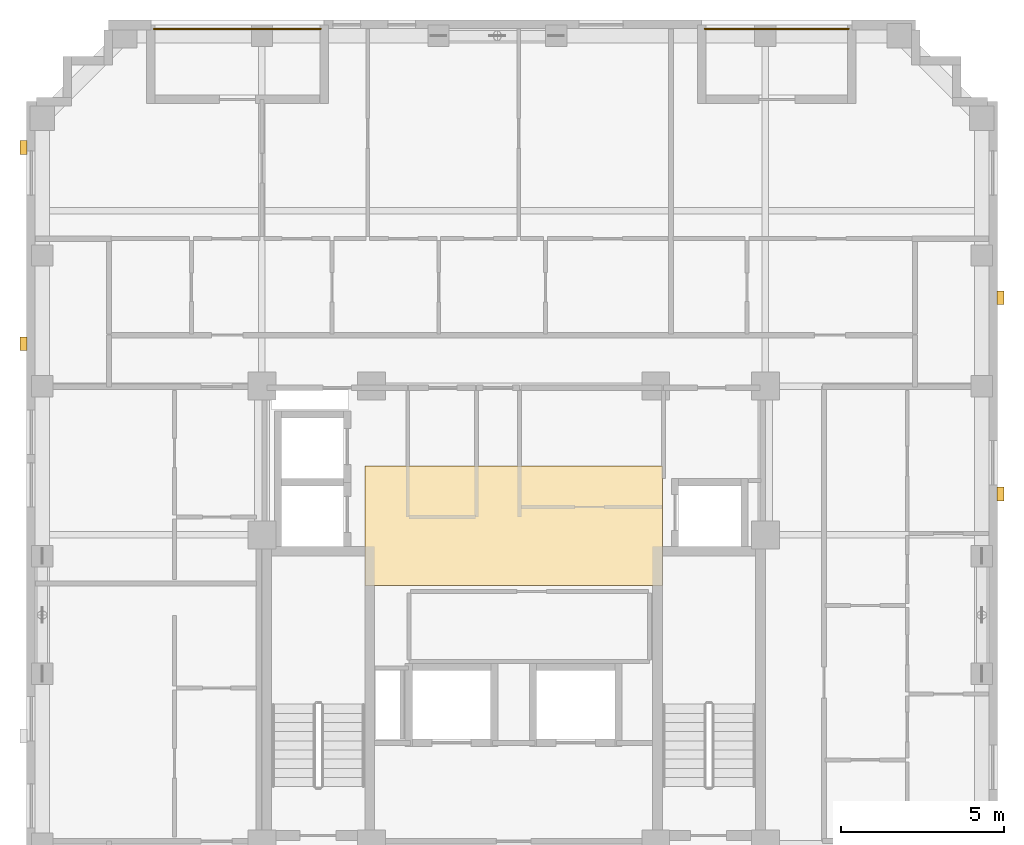
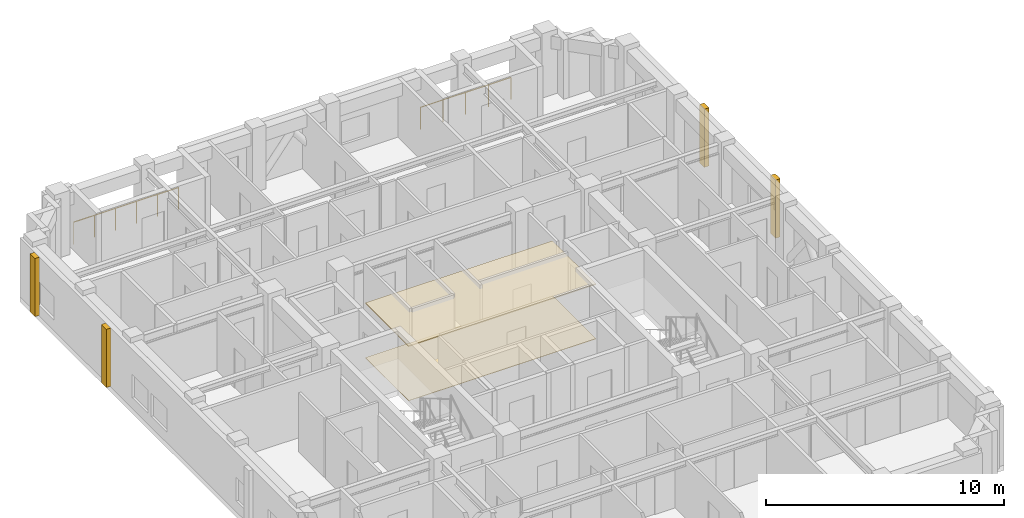
# One storey, part 10 of 10: 6 coverings, 2 railings.
"""IFC4 building model written with IfcOpenShell, lengths in metres."""

from ifc_helpers import new_model, si_unit, derived_unit, direction, frame, origin, origin_2d, place, context, subcontext, project, spatial, polyline, rectangle, circle, outline, extrude, material, layer, layer_set, type_object, element, save


model = new_model("IFC4")

# Units and contexts
model_context = context("Model", 3, precision=1e-05, world=origin(), true_north=direction((0.0, 1.0)))
body_context = subcontext(model_context, "Body", "Model", "MODEL_VIEW")
ifc_project = project(units=[si_unit("LENGTHUNIT", "METRE"), si_unit("AREAUNIT", "SQUARE_METRE"), si_unit("VOLUMEUNIT", "CUBIC_METRE"), si_unit("PLANEANGLEUNIT", "RADIAN"), si_unit("MASSUNIT", "GRAM", prefix="KILO"), derived_unit("THERMALTRANSMITTANCEUNIT", [(si_unit("MASSUNIT", "GRAM", prefix="KILO"), 1), (si_unit("TIMEUNIT", "SECOND"), -3), (si_unit("THERMODYNAMICTEMPERATUREUNIT", "KELVIN"), -1)])], contexts=[model_context])

# Site, building, storey
site_placement = place(None, origin())
site = spatial("IfcSite", under=ifc_project, at=site_placement, CompositionType="ELEMENT")
building_placement = place(site_placement, origin())
building = spatial("IfcBuilding", under=site, at=building_placement, Name="Korrvale Station Residences", CompositionType="ELEMENT")
storey_placement = place(building_placement, frame((0.0, 0.0, 207.39990234375)))
storey = spatial("IfcBuildingStorey", under=building, at=storey_placement, Name="L60", CompositionType="ELEMENT", Elevation=207.39990234375)

# Coverings
ifc_material_1 = material(Name="Perforated acoustic mineral-fibre suspended ceiling", Category="gypsum")
ifc_layer_1 = layer(ifc_material_1, 0.050048828125, Name="Perforated acoustic mineral-fibre suspended ceiling")
ifc_layer_set_1 = layer_set([ifc_layer_1], Name="Perforated acoustic mineral-fibre suspended ceiling")
covering_type_1 = type_object("IfcCoveringType", Name="COV-CLG-AC60", PredefinedType="CEILING", material=ifc_layer_set_1)
covering_1_placement = place(storey_placement, frame((0.0, 0.0, 2.7900390625)))
element("IfcCovering", 1, at=covering_1_placement, inside=storey, type_object=covering_type_1, Name="L60 Elevator Lobby Acoustic Ceiling", PredefinedType="CEILING", context=body_context, shape_type="SweptSolid", body=[
    extrude(outline(polyline([(20.949951171875, 22.89990234375), (30.050048828125, 22.89990234375), (30.050048828125, 26.550048828125), (20.949951171875, 26.550048828125), (20.949951171875, 22.89990234375)])), origin(), (0.0, 0.0, 1.0), 0.050048828125),
])
ifc_material_2 = material(Name="Polished quartz-terrazzo lobby flooring", Category="masonry")
ifc_layer_2 = layer(ifc_material_2, 0.02001953125, Name="Polished quartz-terrazzo lobby flooring")
ifc_layer_set_2 = layer_set([ifc_layer_2], Name="Polished quartz-terrazzo lobby flooring")
covering_type_2 = type_object("IfcCoveringType", Name="COV-FLR-TER20", PredefinedType="FLOORING", material=ifc_layer_set_2)
covering_2_placement = place(storey_placement, origin())
element("IfcCovering", 2, at=covering_2_placement, inside=storey, type_object=covering_type_2, Name="L60 Elevator Lobby Terrazzo Flooring", PredefinedType="FLOORING", context=body_context, shape_type="SweptSolid", body=[
    extrude(outline(polyline([(20.949951171875, 22.89990234375), (30.050048828125, 22.89990234375), (30.050048828125, 26.550048828125), (20.949951171875, 26.550048828125), (20.949951171875, 22.89990234375)])), origin(), (0.0, 0.0, 1.0), 0.02001953125),
])
ifc_material_3 = material(Name="Architectural precast concrete C45/55", Category="concrete")
ifc_layer_3 = layer(ifc_material_3, 0.219970703125, Name="Architectural precast concrete C45/55")
ifc_layer_set_3 = layer_set([ifc_layer_3], Name="Architectural precast concrete C45/55")
covering_type_3 = type_object("IfcCoveringType", Name="COV-PIER-400", PredefinedType="CLADDING", material=ifc_layer_set_3)
for number, where, z_axis, x_axis, name in (
    (3, (10.510009765625, 30.300048828125, 0.02490234375), (0.0, 0.0, 1.0), (0.0, 1.0, 0.0), "L60 Architectural Precast Facade Pier 04"),
    (4, (10.510009765625, 36.300048828125, 0.02490234375), (0.0, 0.0, 1.0), (0.0, 1.0, 0.0), "L60 Architectural Precast Facade Pier 05"),
    (5, (40.389892578125, 31.699951171875, 0.02490234375), (0.0, 0.0, 1.0), (0.0, 1.0, 0.0), "L60 Architectural Precast Facade Pier 06"),
    (6, (40.389892578125, 25.699951171875, 0.02490234375), (0.0, 0.0, 1.0), (0.0, 1.0, 0.0), "L60 Architectural Precast Facade Pier 07"),
):
    element("IfcCovering", number, at=place(storey_placement, frame(where, z_axis=z_axis, x_axis=x_axis)), inside=storey, type_object=covering_type_3, Name=name, PredefinedType="CLADDING", context=body_context, shape_type="SweptSolid", body=[
        extrude(rectangle(XDim=0.419921875, YDim=0.219970703125, at=origin_2d()), origin(), (0.0, 0.0, 1.0), 2.989990234375),
    ])

# Railings
ifc_material_4 = material(Name="Powder-coated aluminium picket loggia guard", Category="aluminium")
railing_type = type_object("IfcRailingType", Name="RLG-BAL-1150", PredefinedType="GUARDRAIL", material=ifc_material_4)
railing_1_placement = place(storey_placement, frame((14.5, 39.929931640625, 0.0)))
element("IfcRailing", 7, at=railing_1_placement, inside=storey, type_object=railing_type, Name="L60 Recessed Loggia Guardrail BAL-L60-N2", PredefinedType="GUARDRAIL", context=body_context, shape_type="SweptSolid", body=[
    extrude(circle(Radius=0.02392578125, at=origin_2d()), frame((0.0, 0.0, 1.1259765625), z_axis=(1.0, 0.0, 0.0), x_axis=(0.0, 1.0, 0.0)), (0.0, 0.0, 1.0), 5.10009765625),
    extrude(circle(Radius=0.02099609375, at=origin_2d()), origin(), (0.0, 0.0, 1.0), 1.101806640625),
    extrude(circle(Radius=0.02099609375, at=origin_2d()), frame((1.02001953125, 0.0, 0.0)), (0.0, 0.0, 1.0), 1.101806640625),
    extrude(circle(Radius=0.02099609375, at=origin_2d()), frame((2.0400390625, 0.0, 0.0)), (0.0, 0.0, 1.0), 1.101806640625),
    extrude(circle(Radius=0.02099609375, at=origin_2d()), frame((3.06005859375, 0.0, 0.0)), (0.0, 0.0, 1.0), 1.101806640625),
    extrude(circle(Radius=0.02099609375, at=origin_2d()), frame((4.080078125, 0.0, 0.0)), (0.0, 0.0, 1.0), 1.101806640625),
    extrude(circle(Radius=0.02099609375, at=origin_2d()), frame((5.10009765625, 0.0, 0.0)), (0.0, 0.0, 1.0), 1.101806640625),
])
railing_2_placement = place(storey_placement, frame((31.35009765625, 39.929931640625, 0.0)))
element("IfcRailing", 8, at=railing_2_placement, inside=storey, type_object=railing_type, Name="L60 Recessed Loggia Guardrail BAL-L60-N1", PredefinedType="GUARDRAIL", context=body_context, shape_type="SweptSolid", body=[
    extrude(circle(Radius=0.02392578125, at=origin_2d()), frame((0.0, 0.0, 1.1259765625), z_axis=(1.0, 0.0, 0.0), x_axis=(0.0, 1.0, 0.0)), (0.0, 0.0, 1.0), 4.39990234375),
    extrude(circle(Radius=0.02099609375, at=origin_2d()), origin(), (0.0, 0.0, 1.0), 1.101806640625),
    extrude(circle(Radius=0.02099609375, at=origin_2d()), frame((1.10009765625, 0.0, 0.0)), (0.0, 0.0, 1.0), 1.101806640625),
    extrude(circle(Radius=0.02099609375, at=origin_2d()), frame((2.199951171875, 0.0, 0.0)), (0.0, 0.0, 1.0), 1.101806640625),
    extrude(circle(Radius=0.02099609375, at=origin_2d()), frame((3.2998046875, 0.0, 0.0)), (0.0, 0.0, 1.0), 1.101806640625),
    extrude(circle(Radius=0.02099609375, at=origin_2d()), frame((4.39990234375, 0.0, 0.0)), (0.0, 0.0, 1.0), 1.101806640625),
])

save(model, "model.ifc")
